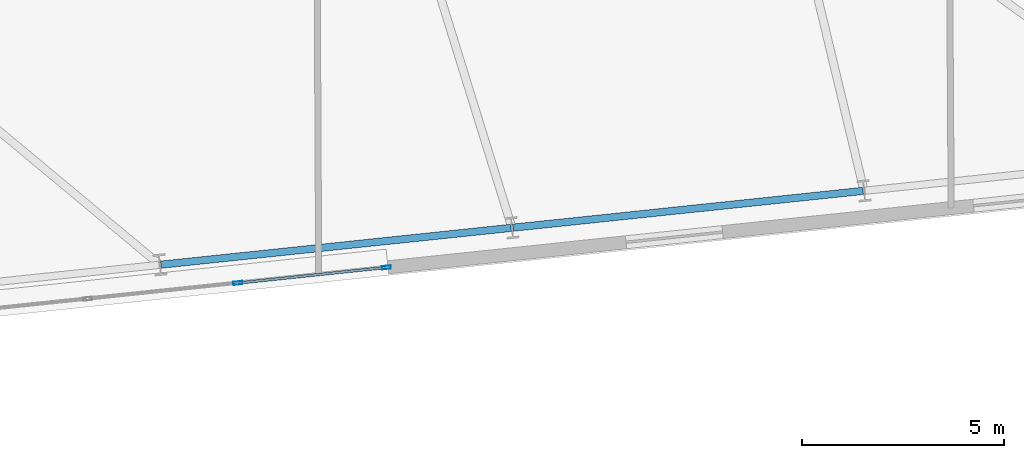
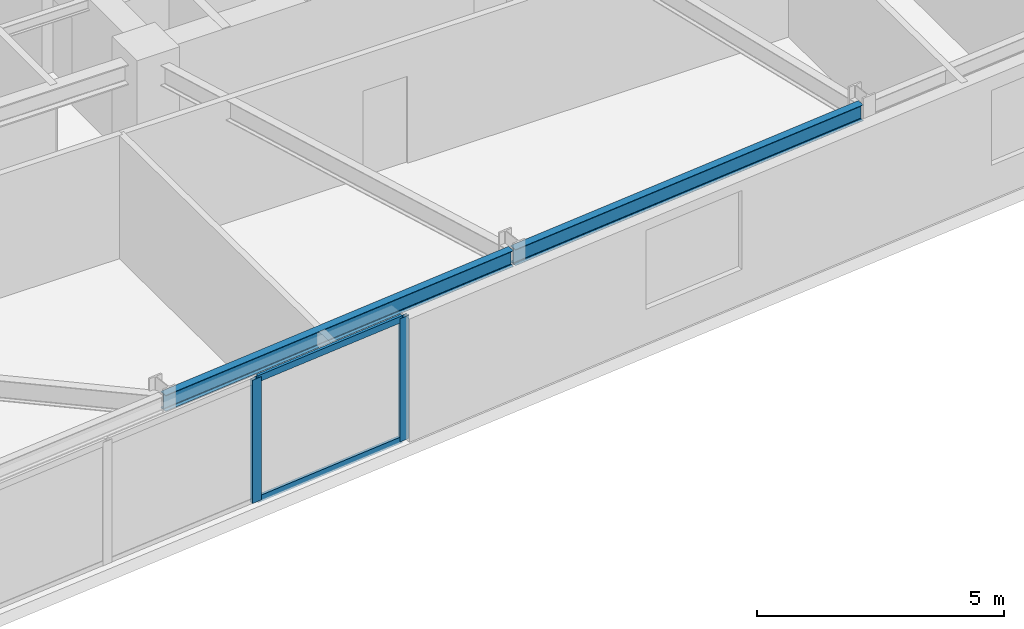
# One storey, part 8 of 22: 4 members, 2 beams, 1 element without a shape of its own.
"""IFC4 building model written with IfcOpenShell, lengths in metres."""

import ifcopenshell
import ifcopenshell.guid

model = None  # the IFC model being written
_history = None  # IfcOwnerHistory: only IFC2X3 demands one
_inside = {}  # id of a spatial element -> (the spatial element, [elements in it])
_under = {}  # id of a project, library or spatial element -> (it, [spatial elements below it])
_declared = {}  # id of a project -> (the project, [libraries it declares])
_typed = {}  # id of a type object -> (the type object, [elements of that type])
_made_of = {}  # id of a material, layer set ... -> (it, [elements and type objects made of it])


def new_model(schema):
    """Start an empty IFC model of exactly this schema.

    Asked for "IFC4X3", IfcOpenShell would pick the latest addendum, in which some entities
    have other attributes; the version numbers below select the first issue.
    IFC2X3 requires an IfcOwnerHistory on every rooted entity: one is made here for all.
    """
    global model, _history
    if schema == "IFC4X3":
        model = ifcopenshell.file(schema_version=(4, 3, 0, 0))
    else:
        model = ifcopenshell.file(schema=schema)
    _inside.clear()
    _under.clear()
    _declared.clear()
    _typed.clear()
    _made_of.clear()
    _history = None
    if model.schema == "IFC2X3":
        org = make("IfcOrganization", Name="unknown")
        user = make(
            "IfcPersonAndOrganization",
            ThePerson=make("IfcPerson", FamilyName="unknown"),
            TheOrganization=org,
        )
        app = make(
            "IfcApplication",
            ApplicationDeveloper=org,
            Version="unknown",
            ApplicationFullName="unknown",
            ApplicationIdentifier="unknown",
        )
        _history = make(
            "IfcOwnerHistory",
            OwningUser=user,
            OwningApplication=app,
            ChangeAction="ADDED",
            CreationDate=0,
        )
    return model


def make(cls, **values):
    """One entity of the class cls with the attributes given. An attribute that is None is left unset."""
    return model.create_entity(
        cls, **{name: value for name, value in values.items() if value is not None}
    )


def rooted(cls, **values):
    """An entity with a GlobalId (a new one), such as an element, a storey or a relation."""
    return make(cls, GlobalId=ifcopenshell.guid.new(), OwnerHistory=_history, **values)


def si_unit(unit_type, name, prefix=None):
    """IfcSIUnit, for example si_unit("LENGTHUNIT", "METRE", prefix="MILLI")."""
    return make("IfcSIUnit", UnitType=unit_type, Prefix=prefix, Name=name)


def assignment(units):
    """IfcUnitAssignment: the units of a project."""
    return None if units is None else make("IfcUnitAssignment", Units=units)


def point(xyz):
    """IfcCartesianPoint."""
    return None if xyz is None else make("IfcCartesianPoint", Coordinates=xyz)


def direction(xyz):
    """IfcDirection."""
    return None if xyz is None else make("IfcDirection", DirectionRatios=xyz)


def frame(location, z_axis=None, x_axis=None):
    """IfcAxis2Placement3D, a coordinate frame: its origin and axes. An axis left out is left unset."""
    return make(
        "IfcAxis2Placement3D",
        Location=point(location),
        Axis=direction(z_axis),
        RefDirection=direction(x_axis),
    )


def frame_2d(location, x_axis=None):
    """IfcAxis2Placement2D, a coordinate frame in the plane: its origin and x axis."""
    return make(
        "IfcAxis2Placement2D", Location=point(location), RefDirection=direction(x_axis)
    )


def origin():
    """The frame at (0, 0, 0) with its axes left unset."""
    return frame((0.0, 0.0, 0.0))


def origin_2d():
    """The frame at (0, 0) in the plane with its x axis left unset."""
    return frame_2d((0.0, 0.0))


def place(relative_to, where):
    """IfcLocalPlacement: puts the frame where relative to a parent placement (None: the world)."""
    return make(
        "IfcLocalPlacement", PlacementRelTo=relative_to, RelativePlacement=where
    )


def context(
    kind, dimensions, precision=None, world=None, true_north=None, identifier=None
):
    """IfcGeometricRepresentationContext, for example the 3D "Model" context."""
    return make(
        "IfcGeometricRepresentationContext",
        ContextIdentifier=identifier,
        ContextType=kind,
        CoordinateSpaceDimension=dimensions,
        Precision=precision,
        WorldCoordinateSystem=world,
        TrueNorth=true_north,
    )


def subcontext(parent, identifier, kind, view, scale=None):
    """IfcGeometricRepresentationSubContext, for example "Body" below "Model"."""
    return make(
        "IfcGeometricRepresentationSubContext",
        ContextIdentifier=identifier,
        ContextType=kind,
        ParentContext=parent,
        TargetScale=scale,
        TargetView=view,
    )


def project(units=None, contexts=None):
    """IfcProject with its units and contexts."""
    return rooted(
        "IfcProject",
        Name="project",
        RepresentationContexts=contexts,
        UnitsInContext=assignment(units),
    )


def spatial(cls, under=None, at=None, **own):
    """A site, building, storey or space (cls), placed at a placement, below another one or the project."""
    s = rooted(cls, ObjectPlacement=at, **own)
    if under is not None:
        _under.setdefault(under.id(), (under, []))[1].append(s)
    return s


def profile(cls, at=None, kind="AREA", **sizes):
    """A parametric profile (cls). Its sizes go by their IFC names, for example OverallWidth=200.0."""
    return make(cls, ProfileType=kind, Position=at, **sizes)


def hollow_rectangle(**sizes):
    """IfcRectangleHollowProfileDef."""
    return profile("IfcRectangleHollowProfileDef", **sizes)


def i_section(**sizes):
    """IfcIShapeProfileDef."""
    return profile("IfcIShapeProfileDef", **sizes)


def extrude(swept, where, along, depth):
    """IfcExtrudedAreaSolid: the profile swept, set in the frame where, extruded along a direction by depth."""
    return make(
        "IfcExtrudedAreaSolid",
        SweptArea=swept,
        Position=where,
        ExtrudedDirection=direction(along),
        Depth=depth,
    )


def shape(context_of_items, identifier, shape_type, items):
    """IfcShapeRepresentation: the items that make up one representation, for example the "Body"."""
    return make(
        "IfcShapeRepresentation",
        ContextOfItems=context_of_items,
        RepresentationIdentifier=identifier,
        RepresentationType=shape_type,
        Items=items,
    )


def material(Name=None, Category=None):
    """IfcMaterial."""
    return make("IfcMaterial", Name=Name, Category=Category)


def layer(
    of_material, thickness, ventilated=None, Name=None, Category=None, Priority=None
):
    """IfcMaterialLayer: one layer of a wall or slab, of a material (None: an air gap)."""
    return make(
        "IfcMaterialLayer",
        Material=of_material,
        LayerThickness=thickness,
        IsVentilated=ventilated,
        Name=Name,
        Category=Category,
        Priority=Priority,
    )


def layer_set(layers, Name=None):
    """IfcMaterialLayerSet."""
    return make("IfcMaterialLayerSet", MaterialLayers=layers, LayerSetName=Name)


def material_profile(
    of_material, cross_section, Name=None, Category=None, Priority=None
):
    """IfcMaterialProfile: a cross section and its material."""
    return make(
        "IfcMaterialProfile",
        Name=Name,
        Material=of_material,
        Profile=cross_section,
        Priority=Priority,
        Category=Category,
    )


def profile_set(profiles, Name=None, composite=None):
    """IfcMaterialProfileSet."""
    return make(
        "IfcMaterialProfileSet",
        Name=Name,
        MaterialProfiles=profiles,
        CompositeProfile=composite,
    )


def made_of(thing, what):
    """Note that an element or type object is made of a material, layer set ...; save() writes the relation."""
    if what is not None:
        _made_of.setdefault(what.id(), (what, []))[1].append(thing)
    return thing


def type_object(cls, material=None, **own):
    """A type object (cls), such as IfcWallType, which elements share."""
    return made_of(rooted(cls, **own), material)


def element(
    cls,
    number,
    at=None,
    inside=None,
    cuts=None,
    type_object=None,
    material=None,
    context=None,
    identifier="Body",
    shape_type=None,
    held_by="IfcProductDefinitionShape",
    body=None,
    shapes=None,
    **own,
):
    """One element of the class cls, such as IfcWall. Its Tag is "e" and its number.

    at: its placement. inside: the storey or other place that contains it. cuts: it is an
    opening in that element (IfcRelVoidsElement). A single representation is given by context,
    identifier, shape_type and body (its items); several are given by shapes. held_by: the class
    of the entity that holds the representations. save() writes the other relations.
    """
    e = rooted(cls, Tag="e%d" % number, ObjectPlacement=at, **own)
    if body is not None:
        shapes = [shape(context, identifier, shape_type, body)]
    if shapes is not None:
        e.Representation = make(held_by, Representations=shapes)
    if inside is not None:
        _inside.setdefault(inside.id(), (inside, []))[1].append(e)
    if cuts is not None:
        rooted(
            "IfcRelVoidsElement", RelatingBuildingElement=cuts, RelatedOpeningElement=e
        )
    if type_object is not None:
        _typed.setdefault(type_object.id(), (type_object, []))[1].append(e)
    return made_of(e, material)


def aggregate(whole, parts):
    """IfcRelAggregates: a whole, such as a stair, and the parts it consists of."""
    return rooted("IfcRelAggregates", RelatingObject=whole, RelatedObjects=parts)


def save(model, path):
    """Write the relations noted so far, then the file.

    IfcRelAggregates (storeys below a building ...), IfcRelContainedInSpatialStructure (elements
    in a storey), IfcRelDefinesByType, IfcRelAssociatesMaterial and IfcRelDeclares: one each for
    every whole, place, type object, material and project.
    """
    for whole, parts in _under.values():
        aggregate(whole, parts)
    for where, things in _inside.values():
        rooted(
            "IfcRelContainedInSpatialStructure",
            RelatedElements=things,
            RelatingStructure=where,
        )
    for kind, things in _typed.values():
        rooted("IfcRelDefinesByType", RelatedObjects=things, RelatingType=kind)
    for what, things in _made_of.values():
        rooted("IfcRelAssociatesMaterial", RelatedObjects=things, RelatingMaterial=what)
    for by, libraries in _declared.values():
        rooted("IfcRelDeclares", RelatingContext=by, RelatedDefinitions=libraries)
    model.write(path)


model = new_model("IFC4")

# Units and contexts
model_context = context("Model", 3, precision=1e-05, world=origin(), true_north=direction((0.0, 1.0)))
body_context = subcontext(model_context, "Body", "Model", "MODEL_VIEW")
ifc_project = project(units=[si_unit("LENGTHUNIT", "METRE"), si_unit("AREAUNIT", "SQUARE_METRE"), si_unit("VOLUMEUNIT", "CUBIC_METRE"), si_unit("PLANEANGLEUNIT", "RADIAN"), si_unit("MASSUNIT", "GRAM", prefix="KILO")], contexts=[model_context])

# Site, building, storey
site_placement = place(None, origin())
site = spatial("IfcSite", under=ifc_project, at=site_placement, CompositionType="ELEMENT")
building_placement = place(site_placement, origin())
building = spatial("IfcBuilding", under=site, at=building_placement, Name="Qobustan Lattice House", CompositionType="ELEMENT")
storey_placement = place(building_placement, frame((0.0, 0.0, 99.10009765625)))
storey = spatial("IfcBuildingStorey", under=building, at=storey_placement, Name="L27", CompositionType="ELEMENT", Elevation=99.10009765625)

# Beams
ifc_material_1 = material(Name="Steel S355", Category="steel")
ifc_material_profile_1 = material_profile(ifc_material_1, i_section(OverallWidth=0.179931640625, OverallDepth=0.39990234375, WebThickness=0.008544921875, FlangeThickness=0.013427734375, FilletRadius=0.02099609375, at=origin_2d()), Name="IPE400")
ifc_profile_set_1 = profile_set([ifc_material_profile_1], Name="Steel S355")
beam_type = type_object("IfcBeamType", Name="BM-SPD-IPE400", PredefinedType="SPANDREL", material=ifc_profile_set_1)
beam_1_placement = place(storey_placement, frame((3.51171875, -16.1484375, 2.844970703125), z_axis=(0.994521279781, 0.10453432002, 0.0), x_axis=(-0.10453432002, 0.994521279781, 0.0)))
element("IfcBeam", 1, at=beam_1_placement, inside=storey, type_object=beam_type, Name="L27 perimeter spandrel S4-S5", PredefinedType="SPANDREL", context=body_context, shape_type="SweptSolid", body=[
    extrude(i_section(OverallWidth=0.179931640625, OverallDepth=0.39990234375, WebThickness=0.008544921875, FlangeThickness=0.013427734375, FilletRadius=0.02099609375, at=origin_2d()), origin(), (0.0, 0.0, 1.0), 8.69970703125),
])
beam_2_placement = place(storey_placement, frame((12.213623046875, -15.23388671875, 2.844970703125), z_axis=(0.994521586424, 0.104531402636, 0.0), x_axis=(-0.104531402636, 0.994521586424, 0.0)))
element("IfcBeam", 2, at=beam_2_placement, inside=storey, type_object=beam_type, Name="L27 perimeter spandrel S5-S6", PredefinedType="SPANDREL", context=body_context, shape_type="SweptSolid", body=[
    extrude(i_section(OverallWidth=0.179931640625, OverallDepth=0.39990234375, WebThickness=0.008544921875, FlangeThickness=0.013427734375, FilletRadius=0.02099609375, at=origin_2d()), origin(), (0.0, 0.0, 1.0), 8.699951171875),
])

# Curtain wall, members
ifc_material_2 = material(Name="Anodised aluminium and low-E glazing", Category="aluminium")
ifc_layer = layer(ifc_material_2, 0.219970703125)
ifc_layer_set = layer_set([ifc_layer], Name="Anodised aluminium and low-E glazing")
curtain_wall_type = type_object("IfcCurtainWallType", Name="CW-IWN-01", PredefinedType="USERDEFINED", material=ifc_layer_set)
curtain_wall_placement = place(storey_placement, origin())
curtain_wall = element("IfcCurtainWall", 3, at=curtain_wall_placement, inside=storey, type_object=curtain_wall_type, Name="L27 IWAN-2 walnut-lined iwan curtain wall", ObjectType="CURTAIN WALL", PredefinedType="USERDEFINED")
ifc_material_3 = material(Name="Anodised aluminium EN AW-6063 T6", Category="aluminium")
ifc_material_profile_2 = material_profile(ifc_material_3, hollow_rectangle(XDim=0.080078125, YDim=0.219970703125, WallThickness=0.0048828125, at=origin_2d()), Name="CWM-220x80")
ifc_profile_set_2 = profile_set([ifc_material_profile_2], Name="Anodised aluminium EN AW-6063 T6")
member_type_1 = type_object("IfcMemberType", Name="CWM-MAIN-220", PredefinedType="MULLION", material=ifc_profile_set_2)
member_1_placement = place(storey_placement, frame((9.084228515625, -16.21630859375, 0.0), z_axis=(0.0, 0.0, 1.0), x_axis=(0.104526295675, -0.994522123189, 0.0)))
member_1 = element("IfcMember", 4, at=member_1_placement, type_object=member_type_1, Name="CW-IW mullion 1", PredefinedType="MULLION", context=body_context, shape_type="SweptSolid", body=[
    extrude(hollow_rectangle(XDim=0.080078125, YDim=0.219970703125, WallThickness=0.0048828125, at=origin_2d()), origin(), (0.0, 0.0, 1.0), 3.044921875),
])
member_2_placement = place(storey_placement, frame((5.4111328125, -16.6025390625, 0.0), z_axis=(0.0, 0.0, 1.0), x_axis=(0.104526295675, -0.994522123189, 0.0)))
member_2 = element("IfcMember", 5, at=member_2_placement, type_object=member_type_1, Name="CW-IW mullion 2", PredefinedType="MULLION", context=body_context, shape_type="SweptSolid", body=[
    extrude(hollow_rectangle(XDim=0.080078125, YDim=0.219970703125, WallThickness=0.0048828125, at=origin_2d()), origin(), (0.0, 0.0, 1.0), 3.044921875),
])
ifc_material_4 = material(Name="Anodised aluminium EN AW-6063 T6", Category="aluminium")
ifc_material_profile_3 = material_profile(ifc_material_4, hollow_rectangle(XDim=0.06494140625, YDim=0.159912109375, WallThickness=0.00390625, at=origin_2d()), Name="CWT-160x65")
ifc_profile_set_3 = profile_set([ifc_material_profile_3], Name="Anodised aluminium EN AW-6063 T6")
member_type_2 = type_object("IfcMemberType", Name="CWT-HOR-160", PredefinedType="USERDEFINED", material=ifc_profile_set_3)
member_3_placement = place(storey_placement, frame((9.04443359375, -16.220458984375, 0.032470703125), z_axis=(-0.99452210074, -0.104526509263, 0.0), x_axis=(0.104526509263, -0.99452210074, 0.0)))
member_3 = element("IfcMember", 6, at=member_3_placement, type_object=member_type_2, Name="CW-IW transom 1.1", ObjectType="TRANSOM", PredefinedType="USERDEFINED", context=body_context, shape_type="SweptSolid", body=[
    extrude(hollow_rectangle(XDim=0.06494140625, YDim=0.159912109375, WallThickness=0.00390625, at=origin_2d()), origin(), (0.0, 0.0, 1.0), 3.61328125),
])
member_4_placement = place(storey_placement, frame((9.04443359375, -16.220458984375, 3.012451171875), z_axis=(-0.99452210074, -0.104526509263, 0.0), x_axis=(0.104526509263, -0.99452210074, 0.0)))
member_4 = element("IfcMember", 7, at=member_4_placement, type_object=member_type_2, Name="CW-IW transom 1.2", ObjectType="TRANSOM", PredefinedType="USERDEFINED", context=body_context, shape_type="SweptSolid", body=[
    extrude(hollow_rectangle(XDim=0.06494140625, YDim=0.159912109375, WallThickness=0.00390625, at=origin_2d()), origin(), (0.0, 0.0, 1.0), 3.61328125),
])
aggregate(curtain_wall, [member_1, member_2, member_3, member_4])

save(model, "model.ifc")
